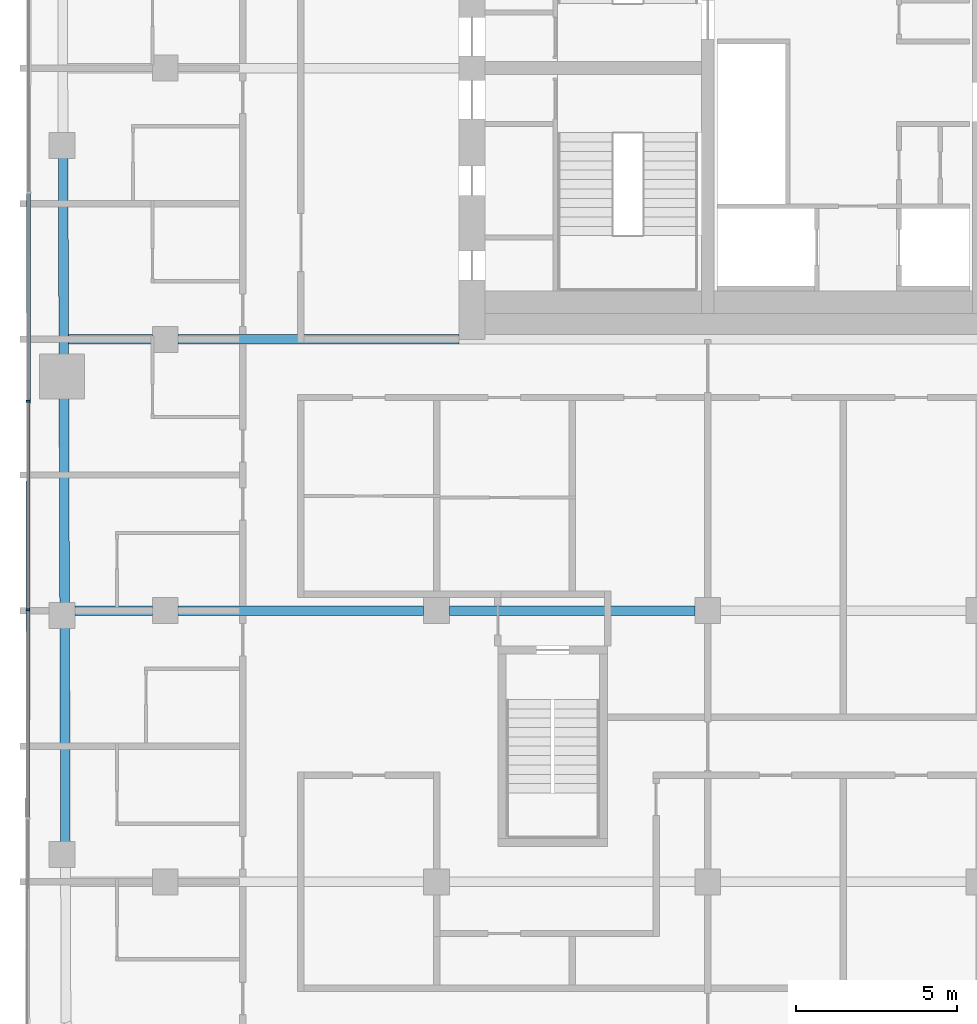
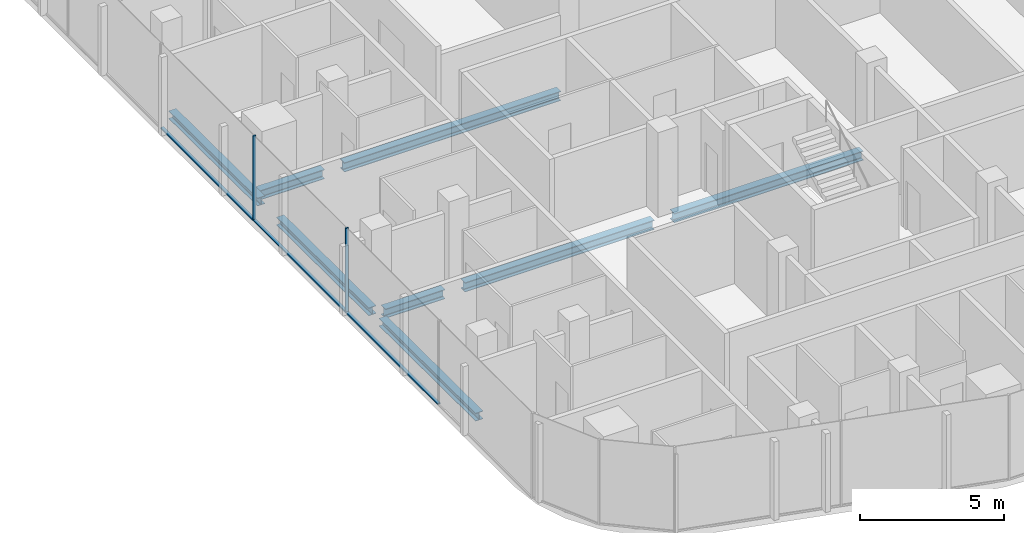
# One storey, part 4 of 22: 8 beams, 5 members, 1 element without a shape of its own.
"""IFC4 building model written with IfcOpenShell, lengths in metres."""

from ifc_helpers import new_model, si_unit, direction, frame, origin, origin_2d, place, context, subcontext, project, spatial, rectangle, i_section, extrude, material, layer, layer_set, material_profile, profile_set, type_object, element, aggregate, save


model = new_model("IFC4")

# Units and contexts
model_context = context("Model", 3, precision=1e-05, world=origin(), true_north=direction((0.0, 1.0)))
body_context = subcontext(model_context, "Body", "Model", "MODEL_VIEW")
ifc_project = project(units=[si_unit("LENGTHUNIT", "METRE"), si_unit("AREAUNIT", "SQUARE_METRE"), si_unit("VOLUMEUNIT", "CUBIC_METRE"), si_unit("PLANEANGLEUNIT", "RADIAN"), si_unit("MASSUNIT", "GRAM", prefix="KILO")], contexts=[model_context])

# Site, building, storey
site_placement = place(None, origin())
site = spatial("IfcSite", under=ifc_project, at=site_placement, CompositionType="ELEMENT")
building_placement = place(site_placement, origin())
building = spatial("IfcBuilding", under=site, at=building_placement, Name="Marenta Gate Hotel Tower", CompositionType="ELEMENT")
storey_placement = place(building_placement, frame((0.0, 0.0, 194.89990234375)))
storey = spatial("IfcBuildingStorey", under=building, at=storey_placement, Name="L44", CompositionType="ELEMENT", Elevation=194.89990234375)

# Beams
ifc_material_1 = material(Name="Steel S355", Category="steel")
ifc_material_profile_1 = material_profile(ifc_material_1, i_section(OverallWidth=0.300048828125, OverallDepth=0.340087890625, WebThickness=0.011962890625, FlangeThickness=0.021484375, FilletRadius=0.027099609375, at=origin_2d()), Name="HEB 340")
ifc_profile_set_1 = profile_set([ifc_material_profile_1], Name="Steel S355")
beam_type_1 = type_object("IfcBeamType", Name="Edge beam HEB 340", PredefinedType="SPANDREL", material=ifc_profile_set_1)
beam_1_placement = place(storey_placement, frame((-24.09375, -15.591796875, -0.429931640625), z_axis=(-0.00332539729, 0.999994470851, 0.0), x_axis=(-0.999994470851, -0.00332539729, 0.0)))
element("IfcBeam", 1, at=beam_1_placement, inside=storey, type_object=beam_type_1, Name="L44-EB-6", PredefinedType="SPANDREL", context=body_context, shape_type="SweptSolid", body=[
    extrude(i_section(OverallWidth=0.300048828125, OverallDepth=0.340087890625, WebThickness=0.011962890625, FlangeThickness=0.021484375, FilletRadius=0.027099609375, at=origin_2d()), origin(), (0.0, 0.0, 1.0), 6.680908203125),
])
beam_2_placement = place(storey_placement, frame((-24.118408203125, -8.19091796875, -0.429931640625), z_axis=(-0.003328723523, 0.999994459785, 0.0), x_axis=(-0.999994459785, -0.003328723523, 0.0)))
element("IfcBeam", 2, at=beam_2_placement, inside=storey, type_object=beam_type_1, Name="L44-EB-7", PredefinedType="SPANDREL", context=body_context, shape_type="SweptSolid", body=[
    extrude(i_section(OverallWidth=0.300048828125, OverallDepth=0.340087890625, WebThickness=0.011962890625, FlangeThickness=0.021484375, FilletRadius=0.027099609375, at=origin_2d()), origin(), (0.0, 0.0, 1.0), 6.380859375),
])
beam_3_placement = place(storey_placement, frame((-24.14404296875, -0.489990234375, -0.429931640625), z_axis=(-0.003303859048, 0.999994542243, 0.0), x_axis=(-0.999994542243, -0.003303859048, 0.0)))
element("IfcBeam", 3, at=beam_3_placement, inside=storey, type_object=beam_type_1, Name="L44-EB-8", PredefinedType="SPANDREL", context=body_context, shape_type="SweptSolid", body=[
    extrude(i_section(OverallWidth=0.300048828125, OverallDepth=0.340087890625, WebThickness=0.011962890625, FlangeThickness=0.021484375, FilletRadius=0.027099609375, at=origin_2d()), origin(), (0.0, 0.0, 1.0), 6.13330078125),
])
ifc_material_2 = material(Name="Steel S355", Category="steel")
ifc_material_profile_2 = material_profile(ifc_material_2, i_section(OverallWidth=0.300048828125, OverallDepth=0.39990234375, WebThickness=0.013427734375, FlangeThickness=0.02392578125, FilletRadius=0.027099609375, at=origin_2d()), Name="HEB 400")
ifc_profile_set_2 = profile_set([ifc_material_profile_2], Name="Steel S355")
beam_type_2 = type_object("IfcBeamType", Name="Girder HEB 400", PredefinedType="BEAM", material=ifc_profile_set_2)
beam_4_placement = place(storey_placement, frame((-23.800048828125, -8.39990234375, -0.4599609375), z_axis=(1.0, 0.0, 0.0), x_axis=(0.0, 1.0, 0.0)))
element("IfcBeam", 4, at=beam_4_placement, inside=storey, type_object=beam_type_2, Name="L44-GD-13", PredefinedType="BEAM", context=body_context, shape_type="SweptSolid", body=[
    extrude(i_section(OverallWidth=0.300048828125, OverallDepth=0.39990234375, WebThickness=0.013427734375, FlangeThickness=0.02392578125, FilletRadius=0.027099609375, at=origin_2d()), origin(), (0.0, 0.0, 1.0), 2.400146484375),
])
beam_5_placement = place(storey_placement, frame((-20.60009765625, -8.39990234375, -0.4599609375), z_axis=(1.0, 0.0, 0.0), x_axis=(0.0, 1.0, 0.0)))
element("IfcBeam", 5, at=beam_5_placement, inside=storey, type_object=beam_type_2, Name="L44-GD-14", PredefinedType="BEAM", context=body_context, shape_type="SweptSolid", body=[
    extrude(i_section(OverallWidth=0.300048828125, OverallDepth=0.39990234375, WebThickness=0.013427734375, FlangeThickness=0.02392578125, FilletRadius=0.027099609375, at=origin_2d()), origin(), (0.0, 0.0, 1.0), 7.60009765625),
])
beam_6_placement = place(storey_placement, frame((-12.199951171875, -8.39990234375, -0.4599609375), z_axis=(1.0, 0.0, 0.0), x_axis=(0.0, 1.0, 0.0)))
element("IfcBeam", 6, at=beam_6_placement, inside=storey, type_object=beam_type_2, Name="L44-GD-15", PredefinedType="BEAM", context=body_context, shape_type="SweptSolid", body=[
    extrude(i_section(OverallWidth=0.300048828125, OverallDepth=0.39990234375, WebThickness=0.013427734375, FlangeThickness=0.02392578125, FilletRadius=0.027099609375, at=origin_2d()), origin(), (0.0, 0.0, 1.0), 7.599853515625),
])
beam_7_placement = place(storey_placement, frame((-23.99560546875, 0.0, -0.4599609375), z_axis=(1.0, 0.0, 0.0), x_axis=(0.0, 1.0, 0.0)))
element("IfcBeam", 7, at=beam_7_placement, inside=storey, type_object=beam_type_2, Name="L44-GD-20", PredefinedType="BEAM", context=body_context, shape_type="SweptSolid", body=[
    extrude(i_section(OverallWidth=0.300048828125, OverallDepth=0.39990234375, WebThickness=0.013427734375, FlangeThickness=0.02392578125, FilletRadius=0.027099609375, at=origin_2d()), origin(), (0.0, 0.0, 1.0), 2.595703125),
])
beam_8_placement = place(storey_placement, frame((-20.60009765625, 0.0, -0.4599609375), z_axis=(1.0, 0.0, 0.0), x_axis=(0.0, 1.0, 0.0)))
element("IfcBeam", 8, at=beam_8_placement, inside=storey, type_object=beam_type_2, Name="L44-GD-21", PredefinedType="BEAM", context=body_context, shape_type="SweptSolid", body=[
    extrude(i_section(OverallWidth=0.300048828125, OverallDepth=0.39990234375, WebThickness=0.013427734375, FlangeThickness=0.02392578125, FilletRadius=0.027099609375, at=origin_2d()), origin(), (0.0, 0.0, 1.0), 8.7001953125),
])

# Curtain wall, members
ifc_material_3 = material(Name="Tinted insulated glass in bronze anodised frame", Category="glass")
ifc_layer = layer(ifc_material_3, 0.1201171875)
ifc_layer_set = layer_set([ifc_layer], Name="Tinted insulated glass in bronze anodised frame")
curtain_wall_type = type_object("IfcCurtainWallType", Name="Tower unitised curtain wall CW1", PredefinedType="NOTDEFINED", material=ifc_layer_set)
curtain_wall_placement = place(storey_placement, origin())
curtain_wall = element("IfcCurtainWall", 9, at=curtain_wall_placement, inside=storey, type_object=curtain_wall_type, Name="CW1 run G03", PredefinedType="NOTDEFINED")
ifc_material_4 = material(Name="Bronze anodised aluminium", Category="aluminium")
ifc_material_profile_3 = material_profile(ifc_material_4, rectangle(XDim=0.1201171875, YDim=0.06005859375, at=origin_2d()), Name="Mullion CW1 60x120 bronze anodised aluminium")
ifc_profile_set_3 = profile_set([ifc_material_profile_3], Name="Bronze anodised aluminium")
member_type_1 = type_object("IfcMemberType", Name="Mullion CW1 60x120 bronze anodised aluminium", PredefinedType="MULLION", material=ifc_profile_set_3)
member_1_placement = place(storey_placement, frame((-25.24267578125, -1.913818359375, 0.0), z_axis=(0.0, 0.0, 1.0), x_axis=(0.99999877375, -0.001566045546, 0.0)))
member_1 = element("IfcMember", 10, at=member_1_placement, type_object=member_type_1, Name="CW1 mullion 4", PredefinedType="MULLION", context=body_context, shape_type="SweptSolid", body=[
    extrude(rectangle(XDim=0.1201171875, YDim=0.06005859375, at=origin_2d()), origin(), (0.0, 0.0, 1.0), 3.60009765625),
])
member_2_placement = place(storey_placement, frame((-25.252685546875, -8.373779296875, 0.0), z_axis=(0.0, 0.0, 1.0), x_axis=(0.99999877375, -0.001566045546, 0.0)))
member_2 = element("IfcMember", 11, at=member_2_placement, type_object=member_type_1, Name="CW1 mullion 5", PredefinedType="MULLION", context=body_context, shape_type="SweptSolid", body=[
    extrude(rectangle(XDim=0.1201171875, YDim=0.06005859375, at=origin_2d()), origin(), (0.0, 0.0, 1.0), 3.60009765625),
])
ifc_material_5 = material(Name="Bronze anodised aluminium", Category="aluminium")
ifc_material_profile_4 = material_profile(ifc_material_5, rectangle(XDim=0.1201171875, YDim=0.06005859375, at=origin_2d()), Name="Transom CW1 60x120 bronze anodised aluminium")
ifc_profile_set_4 = profile_set([ifc_material_profile_4], Name="Bronze anodised aluminium")
member_type_2 = type_object("IfcMemberType", Name="Transom CW1 60x120 bronze anodised aluminium", PredefinedType="USERDEFINED", material=ifc_profile_set_4)
member_3_placement = place(storey_placement, frame((-25.232666015625, 4.51611328125, 0.030029296875), z_axis=(-0.001564047831, -0.999998776876, 0.0), x_axis=(0.999998776876, -0.001564047831, 0.0)))
member_3 = element("IfcMember", 12, at=member_3_placement, type_object=member_type_2, Name="CW1 transom 3.1", ObjectType="TRANSOM", PredefinedType="USERDEFINED", context=body_context, shape_type="SweptSolid", body=[
    extrude(rectangle(XDim=0.1201171875, YDim=0.06005859375, at=origin_2d()), origin(), (0.0, 0.0, 1.0), 6.39990234375),
])
member_4_placement = place(storey_placement, frame((-25.24267578125, -1.94384765625, 0.030029296875), z_axis=(-0.001564047831, -0.999998776876, 0.0), x_axis=(0.999998776876, -0.001564047831, 0.0)))
member_4 = element("IfcMember", 13, at=member_4_placement, type_object=member_type_2, Name="CW1 transom 4.1", ObjectType="TRANSOM", PredefinedType="USERDEFINED", context=body_context, shape_type="SweptSolid", body=[
    extrude(rectangle(XDim=0.1201171875, YDim=0.06005859375, at=origin_2d()), origin(), (0.0, 0.0, 1.0), 6.39990234375),
])
member_5_placement = place(storey_placement, frame((-25.2529296875, -8.40380859375, 0.030029296875), z_axis=(-0.001564047831, -0.999998776876, 0.0), x_axis=(0.999998776876, -0.001564047831, 0.0)))
member_5 = element("IfcMember", 14, at=member_5_placement, type_object=member_type_2, Name="CW1 transom 5.1", ObjectType="TRANSOM", PredefinedType="USERDEFINED", context=body_context, shape_type="SweptSolid", body=[
    extrude(rectangle(XDim=0.1201171875, YDim=0.06005859375, at=origin_2d()), origin(), (0.0, 0.0, 1.0), 6.39990234375),
])
aggregate(curtain_wall, [member_1, member_2, member_3, member_4, member_5])

save(model, "model.ifc")
